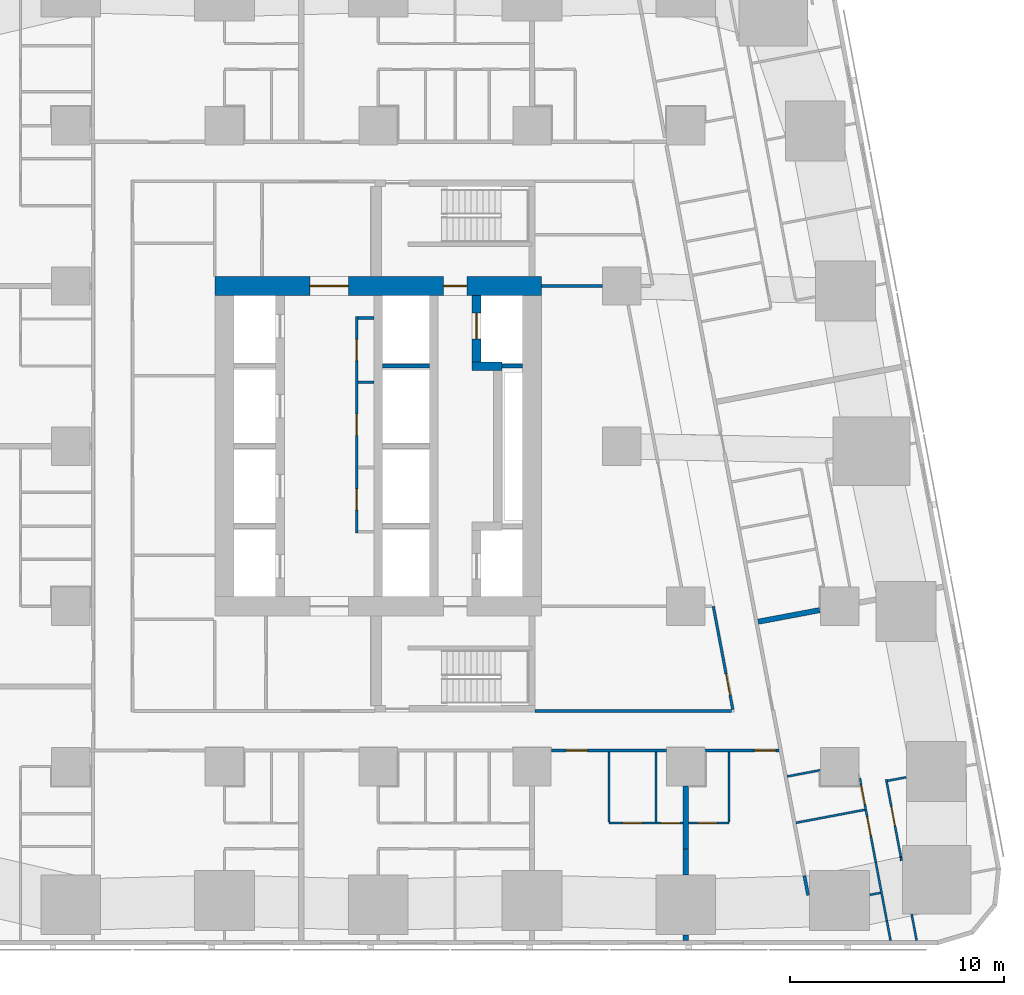
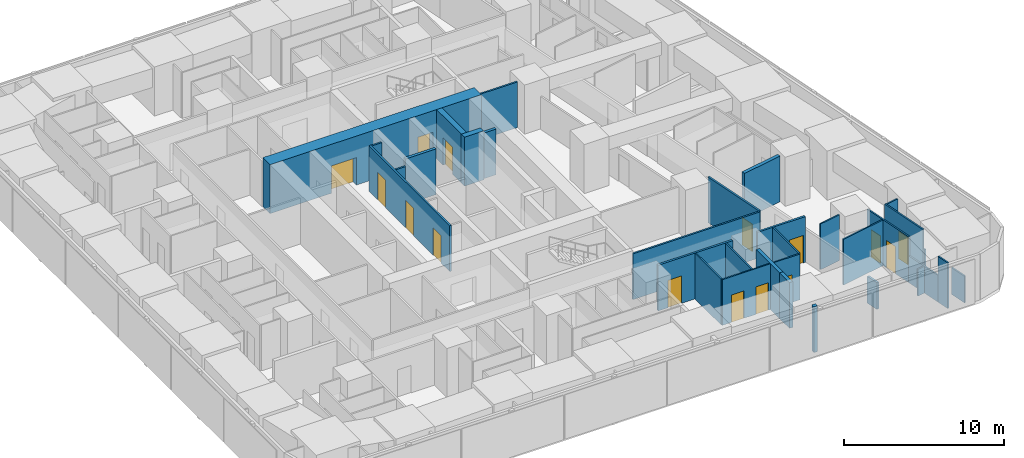
# One storey, part 7 of 16: 33 walls, 15 doors, 15 openings.
"""IFC4 building model written with IfcOpenShell, lengths in metres."""

from ifc_helpers import new_model, si_unit, direction, frame, frame_2d, origin, place, context, subcontext, project, spatial, rectangle, extrude, material, layer, layer_set, type_object, element, fill, save


model = new_model("IFC4")

# Units and contexts
model_context = context("Model", 3, precision=1e-05, world=origin(), true_north=direction((0.0, 1.0)))
body_context = subcontext(model_context, "Body", "Model", "MODEL_VIEW")
ifc_project = project(units=[si_unit("LENGTHUNIT", "METRE"), si_unit("AREAUNIT", "SQUARE_METRE"), si_unit("VOLUMEUNIT", "CUBIC_METRE"), si_unit("PLANEANGLEUNIT", "RADIAN"), si_unit("MASSUNIT", "GRAM", prefix="KILO")], contexts=[model_context])

# Site, building, storey
site_placement = place(None, origin())
site = spatial("IfcSite", under=ifc_project, at=site_placement, CompositionType="ELEMENT")
building_placement = place(site_placement, origin())
building = spatial("IfcBuilding", under=site, at=building_placement, Name="Sheger Commons Tower", CompositionType="ELEMENT")
storey_placement = place(building_placement, frame((0.0, 0.0, 57.5)))
storey = spatial("IfcBuildingStorey", under=building, at=storey_placement, Name="L14", CompositionType="ELEMENT", Elevation=57.5)

# Wall
ifc_material_1 = material(Name="Concrete C50/60", Category="concrete")
ifc_layer_1 = layer(ifc_material_1, 0.39990234375)
ifc_layer_set_1 = layer_set([ifc_layer_1], Name="CORE INNER WALL 400")
wall_type_1 = type_object("IfcWallType", Name="CORE INNER WALL 400", PredefinedType="SHEAR", material=ifc_layer_set_1)
wall_1_placement = place(storey_placement, frame((26.0, 26.25, 0.0), z_axis=(0.0, 0.0, 1.0), x_axis=(1.0, 0.0, 0.0)))
element("IfcWall", 1, at=wall_1_placement, inside=storey, type_object=wall_type_1, Name="Core inner wall F north return L14", PredefinedType="SHEAR", context=body_context, shape_type="SweptSolid", body=[
    extrude(rectangle(XDim=1.39990234375, YDim=0.39990234375, at=frame_2d((0.699951171875, 0.0))), origin(), (0.0, 0.0, 1.0), 3.75),
])

# Wall, opening, door
wall_2_placement = place(storey_placement, frame((26.199951171875, 26.449951171875, 0.0), z_axis=(0.0, 0.0, 1.0), x_axis=(0.0, 1.0, 0.0)))
wall_2 = element("IfcWall", 2, at=wall_2_placement, inside=storey, type_object=wall_type_1, Name="Core inner wall F north L14", PredefinedType="SHEAR", context=body_context, shape_type="SweptSolid", body=[
    extrude(rectangle(XDim=3.10009765625, YDim=0.39990234375, at=frame_2d((1.550048828125, 0.0))), origin(), (0.0, 0.0, 1.0), 3.75),
])
opening_1_placement = place(wall_2_placement, frame((1.074951171875, 0.0, 0.0)))
opening_1 = element("IfcOpeningElement", 3, at=opening_1_placement, cuts=wall_2, Name="Opening LD2", PredefinedType="OPENING", context=body_context, shape_type="SweptSolid", body=[
    extrude(rectangle(XDim=1.199951171875, YDim=2.10009765625, at=frame_2d((0.60009765625, 1.050048828125))), frame((0.0, 0.2099609375, 0.0), z_axis=(0.0, -1.0, 0.0), x_axis=(1.0, 0.0, 0.0)), (0.0, 0.0, 1.0), 0.419921875),
])
ifc_material_2 = material(Name="Steel door set, fire rated", Category="steel")
door_type_1 = type_object("IfcDoorType", Name="FIREFIGHTING LIFT LANDING DOOR 1200x2100", OperationType="DOUBLE_DOOR_SLIDING", PredefinedType="DOOR", material=ifc_material_2)
door_1_placement = place(opening_1_placement, origin())
door_1 = element("IfcDoor", 4, at=door_1_placement, inside=storey, type_object=door_type_1, Name="Lift FL2 landing door", OperationType="DOUBLE_DOOR_SLIDING", OverallHeight=2.10009765625, OverallWidth=1.199951171875, PredefinedType="DOOR", context=body_context, shape_type="SweptSolid", body=[
    extrude(rectangle(XDim=1.199951171875, YDim=2.10009765625, at=frame_2d((0.60009765625, 1.050048828125))), frame((0.0, 0.02490234375, 0.0), z_axis=(0.0, -1.0, 0.0), x_axis=(1.0, 0.0, 0.0)), (0.0, 0.0, 1.0), 0.050048828125),
])
fill(opening_1, door_1)

# Wall, openings, doors
ifc_material_3 = material(Name="Concrete C50/60", Category="concrete")
ifc_layer_2 = layer(ifc_material_3, 0.89990234375)
ifc_layer_set_2 = layer_set([ifc_layer_2], Name="CORE WALL 900")
wall_type_2 = type_object("IfcWallType", Name="CORE WALL 900", PredefinedType="SHEAR", material=ifc_layer_set_2)
wall_3_placement = place(storey_placement, frame((13.949951171875, 30.0, 0.0), z_axis=(0.0, 0.0, 1.0), x_axis=(1.0, 0.0, 0.0)))
wall_3 = element("IfcWall", 5, at=wall_3_placement, inside=storey, type_object=wall_type_2, Name="Core wall north L14", PredefinedType="SHEAR", context=body_context, shape_type="SweptSolid", body=[
    extrude(rectangle(XDim=15.300048828125, YDim=0.89990234375, at=frame_2d((7.64990234375, 0.0))), origin(), (0.0, 0.0, 1.0), 3.75),
])
opening_2_placement = place(wall_3_placement, frame((4.449951171875, 0.0, 0.0)))
opening_2 = element("IfcOpeningElement", 6, at=opening_2_placement, cuts=wall_3, Name="Opening D6", PredefinedType="OPENING", context=body_context, shape_type="SweptSolid", body=[
    extrude(rectangle(XDim=1.800048828125, YDim=2.10009765625, at=frame_2d((0.89990234375, 1.050048828125))), frame((0.0, 0.4599609375, 0.0), z_axis=(0.0, -1.0, 0.0), x_axis=(1.0, 0.0, 0.0)), (0.0, 0.0, 1.0), 0.919921875),
])
opening_3_placement = place(wall_3_placement, frame((10.699951171875, 0.0, 0.0)))
opening_3 = element("IfcOpeningElement", 7, at=opening_3_placement, cuts=wall_3, Name="Opening D5", PredefinedType="OPENING", context=body_context, shape_type="SweptSolid", body=[
    extrude(rectangle(XDim=1.10009765625, YDim=2.10009765625, at=frame_2d((0.550048828125, 1.050048828125))), frame((0.0, 0.4599609375, 0.0), z_axis=(0.0, -1.0, 0.0), x_axis=(1.0, 0.0, 0.0)), (0.0, 0.0, 1.0), 0.919921875),
])
ifc_material_4 = material(Name="Steel door set, fire rated", Category="steel")
door_type_2 = type_object("IfcDoorType", Name="LOBBY DOUBLE DOOR 1800x2100", OperationType="DOUBLE_DOOR_SINGLE_SWING", PredefinedType="DOOR", material=ifc_material_4)
door_2_placement = place(opening_2_placement, origin())
door_2 = element("IfcDoor", 8, at=door_2_placement, inside=storey, type_object=door_type_2, Name="Lift lobby door", OperationType="DOUBLE_DOOR_SINGLE_SWING", OverallHeight=2.10009765625, OverallWidth=1.800048828125, PredefinedType="DOOR", context=body_context, shape_type="SweptSolid", body=[
    extrude(rectangle(XDim=1.800048828125, YDim=2.10009765625, at=frame_2d((0.89990234375, 1.050048828125))), frame((0.0, 0.02490234375, 0.0), z_axis=(0.0, -1.0, 0.0), x_axis=(1.0, 0.0, 0.0)), (0.0, 0.0, 1.0), 0.050048828125),
])
fill(opening_2, door_2)
ifc_material_5 = material(Name="Steel door set, fire rated", Category="steel")
door_type_3 = type_object("IfcDoorType", Name="STAIR DOOR 1100x2100", OperationType="NOTDEFINED", PredefinedType="DOOR", material=ifc_material_5)
door_3_placement = place(opening_3_placement, origin())
door_3 = element("IfcDoor", 9, at=door_3_placement, inside=storey, type_object=door_type_3, Name="Fire-fighting lobby door", OperationType="SINGLE_SWING_LEFT", OverallHeight=2.10009765625, OverallWidth=1.10009765625, PredefinedType="DOOR", context=body_context, shape_type="SweptSolid", body=[
    extrude(rectangle(XDim=1.10009765625, YDim=2.10009765625, at=frame_2d((0.550048828125, 1.050048828125))), frame((0.0, 0.02490234375, 0.0), z_axis=(0.0, -1.0, 0.0), x_axis=(1.0, 0.0, 0.0)), (0.0, 0.0, 1.0), 0.050048828125),
])
fill(opening_3, door_3)

# Wall, opening, door
ifc_material_6 = material(Name="Hollow concrete block masonry, skimmed both sides", Category="masonry")
ifc_layer_3 = layer(ifc_material_6, 0.14990234375)
ifc_layer_set_3 = layer_set([ifc_layer_3], Name="CORRIDOR WALL 150")
wall_type_3 = type_object("IfcWallType", Name="CORRIDOR WALL 150", PredefinedType="SOLIDWALL", material=ifc_layer_set_3)
wall_4_placement = place(storey_placement, frame((40.35498046875, 8.25, 0.0), z_axis=(0.0, 0.0, 1.0), x_axis=(-1.0, 0.0, 0.0)))
wall_4 = element("IfcWall", 10, at=wall_4_placement, inside=storey, type_object=wall_type_3, Name="Corridor wall L14", PredefinedType="SOLIDWALL", context=body_context, shape_type="SweptSolid", body=[
    extrude(rectangle(XDim=3.4541015625, YDim=0.14990234375, at=frame_2d((1.72705078125, 0.0))), origin(), (0.0, 0.0, 1.0), 3.5),
])
opening_4_placement = place(wall_4_placement, frame((0.14990234375, 0.0, 0.0)))
opening_4 = element("IfcOpeningElement", 11, at=opening_4_placement, cuts=wall_4, Name="Opening D1", PredefinedType="OPENING", context=body_context, shape_type="SweptSolid", body=[
    extrude(rectangle(XDim=1.0, YDim=2.10009765625, at=frame_2d((0.5, 1.050048828125))), frame((0.0, 0.0849609375, 0.0), z_axis=(0.0, -1.0, 0.0), x_axis=(1.0, 0.0, 0.0)), (0.0, 0.0, 1.0), 0.169921875),
])
ifc_material_7 = material(Name="Steel door set, fire rated", Category="steel")
door_type_4 = type_object("IfcDoorType", Name="FLAT ENTRANCE DOOR 1000x2100", OperationType="NOTDEFINED", PredefinedType="DOOR", material=ifc_material_7)
door_4_placement = place(opening_4_placement, origin())
door_4 = element("IfcDoor", 12, at=door_4_placement, inside=storey, type_object=door_type_4, Name="Flat entrance door", OperationType="SINGLE_SWING_LEFT", OverallHeight=2.10009765625, OverallWidth=1.0, PredefinedType="DOOR", context=body_context, shape_type="SweptSolid", body=[
    extrude(rectangle(XDim=1.0, YDim=2.10009765625, at=frame_2d((0.5, 1.050048828125))), frame((0.0, 0.02490234375, 0.0), z_axis=(0.0, -1.0, 0.0), x_axis=(1.0, 0.0, 0.0)), (0.0, 0.0, 1.0), 0.050048828125),
])
fill(opening_4, door_4)

wall_5_placement = place(storey_placement, frame((35.09912109375, 8.25, 0.0), z_axis=(0.0, 0.0, 1.0), x_axis=(-1.0, 0.0, 0.0)))
wall_5 = element("IfcWall", 13, at=wall_5_placement, inside=storey, type_object=wall_type_3, Name="Corridor wall L14", PredefinedType="SOLIDWALL", context=body_context, shape_type="SweptSolid", body=[
    extrude(rectangle(XDim=5.398193359375, YDim=0.14990234375, at=frame_2d((2.69921875, 0.0))), origin(), (0.0, 0.0, 1.0), 3.5),
])
opening_5_placement = place(wall_5_placement, frame((3.698974609375, 0.0, 0.0)))
opening_5 = element("IfcOpeningElement", 14, at=opening_5_placement, cuts=wall_5, Name="Opening D1", PredefinedType="OPENING", context=body_context, shape_type="SweptSolid", body=[
    extrude(rectangle(XDim=1.0, YDim=2.10009765625, at=frame_2d((0.5, 1.050048828125))), frame((0.0, 0.0849609375, 0.0), z_axis=(0.0, -1.0, 0.0), x_axis=(1.0, 0.0, 0.0)), (0.0, 0.0, 1.0), 0.169921875),
])
door_5_placement = place(opening_5_placement, origin())
door_5 = element("IfcDoor", 15, at=door_5_placement, inside=storey, type_object=door_type_4, Name="Flat entrance door", OperationType="SINGLE_SWING_RIGHT", OverallHeight=2.10009765625, OverallWidth=1.0, PredefinedType="DOOR", context=body_context, shape_type="SweptSolid", body=[
    extrude(rectangle(XDim=1.0, YDim=2.10009765625, at=frame_2d((0.5, 1.050048828125))), frame((0.0, 0.02490234375, 0.0), z_axis=(0.0, -1.0, 0.0), x_axis=(1.0, 0.0, 0.0)), (0.0, 0.0, 1.0), 0.050048828125),
])
fill(opening_5, door_5)

# Walls
wall_6_placement = place(storey_placement, frame((41.552001953125, 2.39208984375, 0.0), z_axis=(0.0, 0.0, 1.0), x_axis=(0.185687800081, -0.982608793417, 0.0)))
element("IfcWall", 16, at=wall_6_placement, inside=storey, type_object=wall_type_3, Name="Corridor wall L14", PredefinedType="SOLIDWALL", context=body_context, shape_type="SweptSolid", body=[
    extrude(rectangle(XDim=0.9375, YDim=0.14990234375, at=frame_2d((0.46875, 0.0))), origin(), (0.0, 0.0, 1.0), 2.050048828125),
])
ifc_material_8 = material(Name="Dense concrete block masonry, plastered both sides (separating wall between flats)", Category="masonry")
ifc_layer_4 = layer(ifc_material_8, 0.25)
ifc_layer_set_4 = layer_set([ifc_layer_4], Name="DEMISING WALL 250")
wall_type_4 = type_object("IfcWallType", Name="DEMISING WALL 250", PredefinedType="SOLIDWALL", material=ifc_layer_set_4)
wall_7_placement = place(storey_placement, frame((36.0, -0.64990234375, 0.0), z_axis=(0.0, 0.0, 1.0), x_axis=(0.0, 1.0, 0.0)))
element("IfcWall", 17, at=wall_7_placement, inside=storey, type_object=wall_type_4, Name="Demising wall L14", PredefinedType="SOLIDWALL", context=body_context, shape_type="SweptSolid", body=[
    extrude(rectangle(XDim=0.27392578125, YDim=0.25, at=frame_2d((0.136962890625, 0.0))), origin(), (0.0, 0.0, 1.0), 3.5),
])
wall_8_placement = place(storey_placement, frame((36.0, 2.426025390625, 0.0), z_axis=(0.0, 0.0, 1.0), x_axis=(0.0, 1.0, 0.0)))
element("IfcWall", 18, at=wall_8_placement, inside=storey, type_object=wall_type_4, Name="Demising wall L14", PredefinedType="SOLIDWALL", context=body_context, shape_type="SweptSolid", body=[
    extrude(rectangle(XDim=1.223876953125, YDim=0.25, at=frame_2d((0.61181640625, 0.0))), origin(), (0.0, 0.0, 1.0), 3.5),
])
wall_9_placement = place(storey_placement, frame((36.0, 3.64990234375, 0.0), z_axis=(0.0, 0.0, 1.0), x_axis=(0.0, 1.0, 0.0)))
element("IfcWall", 19, at=wall_9_placement, inside=storey, type_object=wall_type_4, Name="Demising wall L14", PredefinedType="SOLIDWALL", context=body_context, shape_type="SweptSolid", body=[
    extrude(rectangle(XDim=2.94921875, YDim=0.25, at=frame_2d((1.474609375, 0.0))), origin(), (0.0, 0.0, 1.0), 3.5),
])
wall_10_placement = place(storey_placement, frame((42.27587890625, 14.824951171875, 0.0), z_axis=(0.0, 0.0, 1.0), x_axis=(-0.982656521819, -0.185435056358, 0.0)))
element("IfcWall", 20, at=wall_10_placement, inside=storey, type_object=wall_type_4, Name="Demising wall L14", PredefinedType="SOLIDWALL", context=body_context, shape_type="SweptSolid", body=[
    extrude(rectangle(XDim=2.94384765625, YDim=0.25, at=frame_2d((1.471923828125, 0.0))), origin(), (0.0, 0.0, 1.0), 3.5),
])

# Wall, openings, doors
ifc_material_9 = material(Name="Gypsum board on steel studs", Category="steel")
ifc_layer_5 = layer(ifc_material_9, 0.10009765625)
ifc_layer_set_5 = layer_set([ifc_layer_5], Name="PARTITION 100")
wall_type_5 = type_object("IfcWallType", Name="PARTITION 100", PredefinedType="PARTITIONING", material=ifc_layer_set_5)
wall_11_placement = place(storey_placement, frame((35.875, 4.85009765625, 0.0), z_axis=(0.0, 0.0, 1.0), x_axis=(-1.0, 0.0, 0.0)))
wall_11 = element("IfcWall", 21, at=wall_11_placement, inside=storey, type_object=wall_type_5, Name="Partition L14", PredefinedType="PARTITIONING", context=body_context, shape_type="SweptSolid", body=[
    extrude(rectangle(XDim=3.47509765625, YDim=0.10009765625, at=frame_2d((1.737548828125, 0.0))), origin(), (0.0, 0.0, 1.0), 3.5),
])
opening_6_placement = place(wall_11_placement, frame((1.919921875, 0.0, 0.0)))
opening_6 = element("IfcOpeningElement", 22, at=opening_6_placement, cuts=wall_11, Name="Opening D2", PredefinedType="OPENING", context=body_context, shape_type="SweptSolid", body=[
    extrude(rectangle(XDim=0.89990234375, YDim=2.10009765625, at=frame_2d((0.449951171875, 1.050048828125))), frame((0.0, 0.06005859375, 0.0), z_axis=(0.0, -1.0, 0.0), x_axis=(1.0, 0.0, 0.0)), (0.0, 0.0, 1.0), 0.1201171875),
])
opening_7_placement = place(wall_11_placement, frame((0.14990234375, 0.0, 0.0)))
opening_7 = element("IfcOpeningElement", 23, at=opening_7_placement, cuts=wall_11, Name="Opening D2", PredefinedType="OPENING", context=body_context, shape_type="SweptSolid", body=[
    extrude(rectangle(XDim=0.89990234375, YDim=2.10009765625, at=frame_2d((0.449951171875, 1.050048828125))), frame((0.0, 0.06005859375, 0.0), z_axis=(0.0, -1.0, 0.0), x_axis=(1.0, 0.0, 0.0)), (0.0, 0.0, 1.0), 0.1201171875),
])
ifc_material_10 = material(Name="Timber door set", Category="wood")
door_type_5 = type_object("IfcDoorType", Name="INTERNAL DOOR 900x2100", OperationType="NOTDEFINED", PredefinedType="DOOR", material=ifc_material_10)
door_6_placement = place(opening_6_placement, origin())
door_6 = element("IfcDoor", 24, at=door_6_placement, inside=storey, type_object=door_type_5, Name="Bathroom door", OperationType="SINGLE_SWING_LEFT", OverallHeight=2.10009765625, OverallWidth=0.89990234375, PredefinedType="DOOR", context=body_context, shape_type="SweptSolid", body=[
    extrude(rectangle(XDim=0.89990234375, YDim=2.10009765625, at=frame_2d((0.449951171875, 1.050048828125))), frame((0.0, 0.02490234375, 0.0), z_axis=(0.0, -1.0, 0.0), x_axis=(1.0, 0.0, 0.0)), (0.0, 0.0, 1.0), 0.050048828125),
])
fill(opening_6, door_6)
door_7_placement = place(opening_7_placement, origin())
door_7 = element("IfcDoor", 25, at=door_7_placement, inside=storey, type_object=door_type_5, Name="Store door", OperationType="SINGLE_SWING_RIGHT", OverallHeight=2.10009765625, OverallWidth=0.89990234375, PredefinedType="DOOR", context=body_context, shape_type="SweptSolid", body=[
    extrude(rectangle(XDim=0.89990234375, YDim=2.10009765625, at=frame_2d((0.449951171875, 1.050048828125))), frame((0.0, 0.02490234375, 0.0), z_axis=(0.0, -1.0, 0.0), x_axis=(1.0, 0.0, 0.0)), (0.0, 0.0, 1.0), 0.050048828125),
])
fill(opening_7, door_7)

# Walls
for number, where, z_axis, x_axis, name in (
    (26, (32.39990234375, 4.89990234375, 0.0), (0.0, 0.0, 1.0), (0.0, 1.0, 0.0), "Partition L14"),
    (27, (34.610107421875, 4.89990234375, 0.0), (0.0, 0.0, 1.0), (0.0, 1.0, 0.0), "Partition L14"),
):
    element("IfcWall", number, at=place(storey_placement, frame(where, z_axis=z_axis, x_axis=x_axis)), inside=storey, type_object=wall_type_5, Name=name, PredefinedType="PARTITIONING", context=body_context, shape_type="SweptSolid", body=[
        extrude(rectangle(XDim=3.275146484375, YDim=0.10009765625, at=frame_2d((1.6376953125, 0.0))), origin(), (0.0, 0.0, 1.0), 3.5),
    ])

# Wall, opening, door
wall_12_placement = place(storey_placement, frame((38.029052734375, 4.85009765625, 0.0), z_axis=(0.0, 0.0, 1.0), x_axis=(-1.0, 0.0, 0.0)))
wall_12 = element("IfcWall", 28, at=wall_12_placement, inside=storey, type_object=wall_type_5, Name="Partition L14", PredefinedType="PARTITIONING", context=body_context, shape_type="SweptSolid", body=[
    extrude(rectangle(XDim=1.904052734375, YDim=0.10009765625, at=frame_2d((0.9521484375, 0.0))), origin(), (0.0, 0.0, 1.0), 3.5),
])
opening_8_placement = place(wall_12_placement, frame((0.5791015625, 0.0, 0.0)))
opening_8 = element("IfcOpeningElement", 29, at=opening_8_placement, cuts=wall_12, Name="Opening D2", PredefinedType="OPENING", context=body_context, shape_type="SweptSolid", body=[
    extrude(rectangle(XDim=0.89990234375, YDim=2.10009765625, at=frame_2d((0.449951171875, 1.050048828125))), frame((0.0, 0.06005859375, 0.0), z_axis=(0.0, -1.0, 0.0), x_axis=(1.0, 0.0, 0.0)), (0.0, 0.0, 1.0), 0.1201171875),
])
door_8_placement = place(opening_8_placement, origin())
door_8 = element("IfcDoor", 30, at=door_8_placement, inside=storey, type_object=door_type_5, Name="Shower room door", OperationType="SINGLE_SWING_LEFT", OverallHeight=2.10009765625, OverallWidth=0.89990234375, PredefinedType="DOOR", context=body_context, shape_type="SweptSolid", body=[
    extrude(rectangle(XDim=0.89990234375, YDim=2.10009765625, at=frame_2d((0.449951171875, 1.050048828125))), frame((0.0, 0.02490234375, 0.0), z_axis=(0.0, -1.0, 0.0), x_axis=(1.0, 0.0, 0.0)), (0.0, 0.0, 1.0), 0.050048828125),
])
fill(opening_8, door_8)

# Wall
wall_13_placement = place(storey_placement, frame((38.029052734375, 4.89990234375, 0.0), z_axis=(0.0, 0.0, 1.0), x_axis=(0.0, 1.0, 0.0)))
element("IfcWall", 31, at=wall_13_placement, inside=storey, type_object=wall_type_5, Name="Partition L14", PredefinedType="PARTITIONING", context=body_context, shape_type="SweptSolid", body=[
    extrude(rectangle(XDim=3.275146484375, YDim=0.10009765625, at=frame_2d((1.6376953125, 0.0))), origin(), (0.0, 0.0, 1.0), 3.5),
])

# Wall, opening, door
wall_14_placement = place(storey_placement, frame((45.383056640625, 6.89404296875, 0.0), z_axis=(0.0, 0.0, 1.0), x_axis=(0.185791461635, -0.982589198385, 0.0)))
wall_14 = element("IfcWall", 32, at=wall_14_placement, inside=storey, type_object=wall_type_5, Name="Partition L14", PredefinedType="PARTITIONING", context=body_context, shape_type="SweptSolid", body=[
    extrude(rectangle(XDim=3.687255859375, YDim=0.10009765625, at=frame_2d((1.84375, 0.0))), origin(), (0.0, 0.0, 1.0), 3.5),
])
opening_9_placement = place(wall_14_placement, frame((1.300048828125, 0.0, 0.0)))
opening_9 = element("IfcOpeningElement", 33, at=opening_9_placement, cuts=wall_14, Name="Opening D2", PredefinedType="OPENING", context=body_context, shape_type="SweptSolid", body=[
    extrude(rectangle(XDim=0.89990234375, YDim=2.10009765625, at=frame_2d((0.449951171875, 1.050048828125))), frame((0.0, 0.06005859375, 0.0), z_axis=(0.0, -1.0, 0.0), x_axis=(1.0, 0.0, 0.0)), (0.0, 0.0, 1.0), 0.1201171875),
])
door_9_placement = place(opening_9_placement, origin())
door_9 = element("IfcDoor", 34, at=door_9_placement, inside=storey, type_object=door_type_5, Name="Main bedroom door", OperationType="SINGLE_SWING_LEFT", OverallHeight=2.10009765625, OverallWidth=0.89990234375, PredefinedType="DOOR", context=body_context, shape_type="SweptSolid", body=[
    extrude(rectangle(XDim=0.89990234375, YDim=2.10009765625, at=frame_2d((0.449951171875, 1.050048828125))), frame((0.0, 0.02490234375, 0.0), z_axis=(0.0, -1.0, 0.0), x_axis=(1.0, 0.0, 0.0)), (0.0, 0.0, 1.0), 0.050048828125),
])
fill(opening_9, door_9)

# Walls
wall_15_placement = place(storey_placement, frame((46.068115234375, 3.27099609375, 0.0), z_axis=(0.0, 0.0, 1.0), x_axis=(0.183590240121, -0.98300286049, 0.0)))
element("IfcWall", 35, at=wall_15_placement, inside=storey, type_object=wall_type_5, Name="Partition L14", PredefinedType="PARTITIONING", context=body_context, shape_type="SweptSolid", body=[
    extrude(rectangle(XDim=0.1689453125, YDim=0.10009765625, at=frame_2d((0.08447265625, 0.0))), origin(), (0.0, 0.0, 1.0), 2.050048828125),
])
wall_16_placement = place(storey_placement, frame((46.573974609375, 0.5869140625, 0.0), z_axis=(0.0, 0.0, 1.0), x_axis=(0.185997942803, -0.98255013372, 0.0)))
element("IfcWall", 36, at=wall_16_placement, inside=storey, type_object=wall_type_5, Name="Partition L14", PredefinedType="PARTITIONING", context=body_context, shape_type="SweptSolid", body=[
    extrude(rectangle(XDim=1.2587890625, YDim=0.10009765625, at=frame_2d((0.62939453125, 0.0))), origin(), (0.0, 0.0, 1.0), 2.050048828125),
])

# Wall, openings, doors
wall_17_placement = place(storey_placement, frame((44.14892578125, 6.9599609375, 0.0), z_axis=(0.0, 0.0, 1.0), x_axis=(0.185824941804, -0.982582867245, 0.0)))
wall_17 = element("IfcWall", 37, at=wall_17_placement, inside=storey, type_object=wall_type_5, Name="Partition L14", PredefinedType="PARTITIONING", context=body_context, shape_type="SweptSolid", body=[
    extrude(rectangle(XDim=4.009765625, YDim=0.10009765625, at=frame_2d((2.0048828125, 0.0))), origin(), (0.0, 0.0, 1.0), 3.5),
])
opening_10_placement = place(wall_17_placement, frame((0.35009765625, 0.0, 0.0)))
opening_10 = element("IfcOpeningElement", 38, at=opening_10_placement, cuts=wall_17, Name="Opening D2", PredefinedType="OPENING", context=body_context, shape_type="SweptSolid", body=[
    extrude(rectangle(XDim=0.89990234375, YDim=2.10009765625, at=frame_2d((0.449951171875, 1.050048828125))), frame((0.0, 0.06005859375, 0.0), z_axis=(0.0, -1.0, 0.0), x_axis=(1.0, 0.0, 0.0)), (0.0, 0.0, 1.0), 0.1201171875),
])
opening_11_placement = place(wall_17_placement, frame((1.85595703125, 0.0, 0.0)))
opening_11 = element("IfcOpeningElement", 39, at=opening_11_placement, cuts=wall_17, Name="Opening D2", PredefinedType="OPENING", context=body_context, shape_type="SweptSolid", body=[
    extrude(rectangle(XDim=0.89990234375, YDim=2.10009765625, at=frame_2d((0.449951171875, 1.050048828125))), frame((0.0, 0.06005859375, 0.0), z_axis=(0.0, -1.0, 0.0), x_axis=(1.0, 0.0, 0.0)), (0.0, 0.0, 1.0), 0.1201171875),
])
door_10_placement = place(opening_10_placement, origin())
door_10 = element("IfcDoor", 40, at=door_10_placement, inside=storey, type_object=door_type_5, Name="Bathroom door", OperationType="SINGLE_SWING_RIGHT", OverallHeight=2.10009765625, OverallWidth=0.89990234375, PredefinedType="DOOR", context=body_context, shape_type="SweptSolid", body=[
    extrude(rectangle(XDim=0.89990234375, YDim=2.10009765625, at=frame_2d((0.449951171875, 1.050048828125))), frame((0.0, 0.02490234375, 0.0), z_axis=(0.0, -1.0, 0.0), x_axis=(1.0, 0.0, 0.0)), (0.0, 0.0, 1.0), 0.050048828125),
])
fill(opening_10, door_10)
door_11_placement = place(opening_11_placement, origin())
door_11 = element("IfcDoor", 41, at=door_11_placement, inside=storey, type_object=door_type_5, Name="Store door", OperationType="SINGLE_SWING_RIGHT", OverallHeight=2.10009765625, OverallWidth=0.89990234375, PredefinedType="DOOR", context=body_context, shape_type="SweptSolid", body=[
    extrude(rectangle(XDim=0.89990234375, YDim=2.10009765625, at=frame_2d((0.449951171875, 1.050048828125))), frame((0.0, 0.02490234375, 0.0), z_axis=(0.0, -1.0, 0.0), x_axis=(1.0, 0.0, 0.0)), (0.0, 0.0, 1.0), 0.050048828125),
])
fill(opening_11, door_11)

# Walls
wall_18_placement = place(storey_placement, frame((44.89404296875, 3.02001953125, 0.0), z_axis=(0.0, 0.0, 1.0), x_axis=(0.185471317237, -0.982649678412, 0.0)))
element("IfcWall", 42, at=wall_18_placement, inside=storey, type_object=wall_type_5, Name="Partition L14", PredefinedType="PARTITIONING", context=body_context, shape_type="SweptSolid", body=[
    extrude(rectangle(XDim=2.8037109375, YDim=0.10009765625, at=frame_2d((1.40185546875, 0.0))), origin(), (0.0, 0.0, 1.0), 2.050048828125),
])
wall_19_placement = place(storey_placement, frame((45.4140625, 0.264892578125, 0.0), z_axis=(0.0, 0.0, 1.0), x_axis=(0.185665855771, -0.982612940074, 0.0)))
element("IfcWall", 43, at=wall_19_placement, inside=storey, type_object=wall_type_5, Name="Partition L14", PredefinedType="PARTITIONING", context=body_context, shape_type="SweptSolid", body=[
    extrude(rectangle(XDim=0.930908203125, YDim=0.10009765625, at=frame_2d((0.46533203125, 0.0))), origin(), (0.0, 0.0, 1.0), 3.5),
])
wall_20_placement = place(storey_placement, frame((46.320068359375, 6.9970703125, 0.0), z_axis=(0.0, 0.0, 1.0), x_axis=(-0.982635224332, -0.185547880349, 0.0)))
element("IfcWall", 44, at=wall_20_placement, inside=storey, type_object=wall_type_5, Name="Partition L14", PredefinedType="PARTITIONING", context=body_context, shape_type="SweptSolid", body=[
    extrude(rectangle(XDim=0.889404296875, YDim=0.10009765625, at=frame_2d((0.44482421875, 0.0))), origin(), (0.0, 0.0, 1.0), 3.5),
])
wall_21_placement = place(storey_placement, frame((42.2900390625, 7.3291015625, 0.0), z_axis=(0.0, 0.0, 1.0), x_axis=(-0.98258870752, -0.18579405764, 0.0)))
element("IfcWall", 45, at=wall_21_placement, inside=storey, type_object=wall_type_5, Name="Partition L14", PredefinedType="PARTITIONING", context=body_context, shape_type="SweptSolid", body=[
    extrude(rectangle(XDim=1.56640625, YDim=0.10009765625, at=frame_2d((0.783203125, 0.0))), origin(), (0.0, 0.0, 1.0), 3.5),
])
wall_22_placement = place(storey_placement, frame((45.114013671875, 1.5869140625, 0.0), z_axis=(0.0, 0.0, 1.0), x_axis=(-0.982699277433, -0.185208342501, 0.0)))
element("IfcWall", 46, at=wall_22_placement, inside=storey, type_object=wall_type_5, Name="Partition L14", PredefinedType="PARTITIONING", context=body_context, shape_type="SweptSolid", body=[
    extrude(rectangle(XDim=0.5126953125, YDim=0.10009765625, at=frame_2d((0.25634765625, 0.0))), origin(), (0.0, 0.0, 1.0), 2.050048828125),
])
wall_23_placement = place(storey_placement, frame((44.37890625, 5.47412109375, 0.0), z_axis=(0.0, 0.0, 1.0), x_axis=(-0.982607026909, -0.185697147715, 0.0)))
element("IfcWall", 47, at=wall_23_placement, inside=storey, type_object=wall_type_5, Name="Partition L14", PredefinedType="PARTITIONING", context=body_context, shape_type="SweptSolid", body=[
    extrude(rectangle(XDim=3.27490234375, YDim=0.10009765625, at=frame_2d((1.637451171875, 0.0))), origin(), (0.0, 0.0, 1.0), 3.5),
])
ifc_material_11 = material(Name="Gypsum board on steel studs, two layers each side, fire rated", Category="steel")
ifc_layer_6 = layer(ifc_material_11, 0.125)
ifc_layer_set_6 = layer_set([ifc_layer_6], Name="SERVICE WALL 125")
wall_type_6 = type_object("IfcWallType", Name="SERVICE WALL 125", PredefinedType="PARTITIONING", material=ifc_layer_set_6)
wall_24_placement = place(storey_placement, frame((28.949951171875, 10.10009765625, 0.0), z_axis=(0.0, 0.0, 1.0), x_axis=(1.0, 0.0, 0.0)))
element("IfcWall", 48, at=wall_24_placement, inside=storey, type_object=wall_type_6, Name="Service room wall L14", PredefinedType="PARTITIONING", context=body_context, shape_type="SweptSolid", body=[
    extrude(rectangle(XDim=9.18798828125, YDim=0.125, at=frame_2d((4.593994140625, 0.0))), origin(), (0.0, 0.0, 1.0), 3.5),
])

# Wall, opening, door
wall_25_placement = place(storey_placement, frame((38.201904296875, 10.1630859375, 0.0), z_axis=(0.0, 0.0, 1.0), x_axis=(-0.185641892853, 0.982617467593, 0.0)))
wall_25 = element("IfcWall", 49, at=wall_25_placement, inside=storey, type_object=wall_type_6, Name="Service room wall L14", PredefinedType="PARTITIONING", context=body_context, shape_type="SweptSolid", body=[
    extrude(rectangle(XDim=4.92236328125, YDim=0.125, at=frame_2d((2.461181640625, 0.0))), origin(), (0.0, 0.0, 1.0), 3.5),
])
opening_12_placement = place(wall_25_placement, frame((0.7080078125, 0.0, 0.0)))
opening_12 = element("IfcOpeningElement", 50, at=opening_12_placement, cuts=wall_25, Name="Opening D4", PredefinedType="OPENING", context=body_context, shape_type="SweptSolid", body=[
    extrude(rectangle(XDim=1.0, YDim=2.10009765625, at=frame_2d((0.5, 1.050048828125))), frame((0.0, 0.072509765625, 0.0), z_axis=(0.0, -1.0, 0.0), x_axis=(1.0, 0.0, 0.0)), (0.0, 0.0, 1.0), 0.14501953125),
])
ifc_material_12 = material(Name="Steel door set, fire rated", Category="steel")
door_type_6 = type_object("IfcDoorType", Name="SERVICE DOOR 1000x2100", OperationType="NOTDEFINED", PredefinedType="DOOR", material=ifc_material_12)
door_12_placement = place(opening_12_placement, origin())
door_12 = element("IfcDoor", 51, at=door_12_placement, inside=storey, type_object=door_type_6, Name="Parcel and delivery room door", OperationType="SINGLE_SWING_LEFT", OverallHeight=2.10009765625, OverallWidth=1.0, PredefinedType="DOOR", context=body_context, shape_type="SweptSolid", body=[
    extrude(rectangle(XDim=1.0, YDim=2.10009765625, at=frame_2d((0.5, 1.050048828125))), frame((0.0, 0.02490234375, 0.0), z_axis=(0.0, -1.0, 0.0), x_axis=(1.0, 0.0, 0.0)), (0.0, 0.0, 1.0), 0.050048828125),
])
fill(opening_12, door_12)

# Wall
wall_26_placement = place(storey_placement, frame((29.25, 30.0, 0.0), z_axis=(0.0, 0.0, 1.0), x_axis=(1.0, 0.0, 0.0)))
element("IfcWall", 52, at=wall_26_placement, inside=storey, type_object=wall_type_6, Name="Service room wall L14", PredefinedType="PARTITIONING", context=body_context, shape_type="SweptSolid", body=[
    extrude(rectangle(XDim=2.84912109375, YDim=0.125, at=frame_2d((1.424560546875, 0.0))), origin(), (0.0, 0.0, 1.0), 3.5),
])

# Wall, openings, doors
wall_27_placement = place(storey_placement, frame((20.60009765625, 18.43798828125, 0.0), z_axis=(0.0, 0.0, 1.0), x_axis=(0.0, 1.0, 0.0)))
wall_27 = element("IfcWall", 53, at=wall_27_placement, inside=storey, type_object=wall_type_6, Name="Service room wall L14", PredefinedType="PARTITIONING", context=body_context, shape_type="SweptSolid", body=[
    extrude(rectangle(XDim=10.1240234375, YDim=0.125, at=frame_2d((5.06201171875, 0.0))), origin(), (0.0, 0.0, 1.0), 3.5),
])
opening_13_placement = place(wall_27_placement, frame((1.06201171875, 0.0, 0.0)))
opening_13 = element("IfcOpeningElement", 54, at=opening_13_placement, cuts=wall_27, Name="Opening D4", PredefinedType="OPENING", context=body_context, shape_type="SweptSolid", body=[
    extrude(rectangle(XDim=1.0, YDim=2.10009765625, at=frame_2d((0.5, 1.050048828125))), frame((0.0, 0.072509765625, 0.0), z_axis=(0.0, -1.0, 0.0), x_axis=(1.0, 0.0, 0.0)), (0.0, 0.0, 1.0), 0.14501953125),
])
opening_14_placement = place(wall_27_placement, frame((4.56201171875, 0.0, 0.0)))
opening_14 = element("IfcOpeningElement", 55, at=opening_14_placement, cuts=wall_27, Name="Opening D4", PredefinedType="OPENING", context=body_context, shape_type="SweptSolid", body=[
    extrude(rectangle(XDim=1.0, YDim=2.10009765625, at=frame_2d((0.5, 1.050048828125))), frame((0.0, 0.072509765625, 0.0), z_axis=(0.0, -1.0, 0.0), x_axis=(1.0, 0.0, 0.0)), (0.0, 0.0, 1.0), 0.14501953125),
])
opening_15_placement = place(wall_27_placement, frame((8.06201171875, 0.0, 0.0)))
opening_15 = element("IfcOpeningElement", 56, at=opening_15_placement, cuts=wall_27, Name="Opening D4", PredefinedType="OPENING", context=body_context, shape_type="SweptSolid", body=[
    extrude(rectangle(XDim=1.0, YDim=2.10009765625, at=frame_2d((0.5, 1.050048828125))), frame((0.0, 0.072509765625, 0.0), z_axis=(0.0, -1.0, 0.0), x_axis=(1.0, 0.0, 0.0)), (0.0, 0.0, 1.0), 0.14501953125),
])
door_13_placement = place(opening_13_placement, origin())
door_13 = element("IfcDoor", 57, at=door_13_placement, inside=storey, type_object=door_type_6, Name="Water meter cupboard door", OperationType="SINGLE_SWING_LEFT", OverallHeight=2.10009765625, OverallWidth=1.0, PredefinedType="DOOR", context=body_context, shape_type="SweptSolid", body=[
    extrude(rectangle(XDim=1.0, YDim=2.10009765625, at=frame_2d((0.5, 1.050048828125))), frame((0.0, 0.02490234375, 0.0), z_axis=(0.0, -1.0, 0.0), x_axis=(1.0, 0.0, 0.0)), (0.0, 0.0, 1.0), 0.050048828125),
])
fill(opening_13, door_13)
door_14_placement = place(opening_14_placement, origin())
door_14 = element("IfcDoor", 58, at=door_14_placement, inside=storey, type_object=door_type_6, Name="Linen cupboard door", OperationType="SINGLE_SWING_RIGHT", OverallHeight=2.10009765625, OverallWidth=1.0, PredefinedType="DOOR", context=body_context, shape_type="SweptSolid", body=[
    extrude(rectangle(XDim=1.0, YDim=2.10009765625, at=frame_2d((0.5, 1.050048828125))), frame((0.0, 0.02490234375, 0.0), z_axis=(0.0, -1.0, 0.0), x_axis=(1.0, 0.0, 0.0)), (0.0, 0.0, 1.0), 0.050048828125),
])
fill(opening_14, door_14)
door_15_placement = place(opening_15_placement, origin())
door_15 = element("IfcDoor", 59, at=door_15_placement, inside=storey, type_object=door_type_6, Name="Housekeeping cupboard door", OperationType="SINGLE_SWING_RIGHT", OverallHeight=2.10009765625, OverallWidth=1.0, PredefinedType="DOOR", context=body_context, shape_type="SweptSolid", body=[
    extrude(rectangle(XDim=1.0, YDim=2.10009765625, at=frame_2d((0.5, 1.050048828125))), frame((0.0, 0.02490234375, 0.0), z_axis=(0.0, -1.0, 0.0), x_axis=(1.0, 0.0, 0.0)), (0.0, 0.0, 1.0), 0.050048828125),
])
fill(opening_15, door_15)

# Walls
for number, where, z_axis, x_axis, name in (
    (60, (20.6630859375, 28.5, 0.0), (0.0, 0.0, 1.0), (1.0, 0.0, 0.0), "Service room wall L14"),
    (61, (20.6630859375, 25.5, 0.0), (0.0, 0.0, 1.0), (1.0, 0.0, 0.0), "Service room wall L14"),
):
    element("IfcWall", number, at=place(storey_placement, frame(where, z_axis=z_axis, x_axis=x_axis)), inside=storey, type_object=wall_type_6, Name=name, PredefinedType="PARTITIONING", context=body_context, shape_type="SweptSolid", body=[
        extrude(rectangle(XDim=0.73681640625, YDim=0.125, at=frame_2d((0.368408203125, 0.0))), origin(), (0.0, 0.0, 1.0), 3.5),
    ])
ifc_material_13 = material(Name="Hollow concrete block masonry", Category="masonry")
ifc_layer_7 = layer(ifc_material_13, 0.199951171875)
ifc_layer_set_7 = layer_set([ifc_layer_7], Name="SHAFT WALL 200")
wall_type_7 = type_object("IfcWallType", Name="SHAFT WALL 200", PredefinedType="SOLIDWALL", material=ifc_layer_set_7)
wall_28_placement = place(storey_placement, frame((21.800048828125, 26.25, 0.0), z_axis=(0.0, 0.0, 1.0), x_axis=(1.0, 0.0, 0.0)))
element("IfcWall", 62, at=wall_28_placement, inside=storey, type_object=wall_type_7, Name="Lift shaft wall L14", PredefinedType="SOLIDWALL", context=body_context, shape_type="SweptSolid", body=[
    extrude(rectangle(XDim=2.199951171875, YDim=0.199951171875, at=frame_2d((1.10009765625, 0.0))), origin(), (0.0, 0.0, 1.0), 3.5),
])
wall_29_placement = place(storey_placement, frame((27.39990234375, 26.25, 0.0), z_axis=(0.0, 0.0, 1.0), x_axis=(1.0, 0.0, 0.0)))
element("IfcWall", 63, at=wall_29_placement, inside=storey, type_object=wall_type_7, Name="Lift shaft wall L14", PredefinedType="SOLIDWALL", context=body_context, shape_type="SweptSolid", body=[
    extrude(rectangle(XDim=0.9501953125, YDim=0.199951171875, at=frame_2d((0.47509765625, 0.0))), origin(), (0.0, 0.0, 1.0), 3.5),
])

save(model, "model.ifc")
